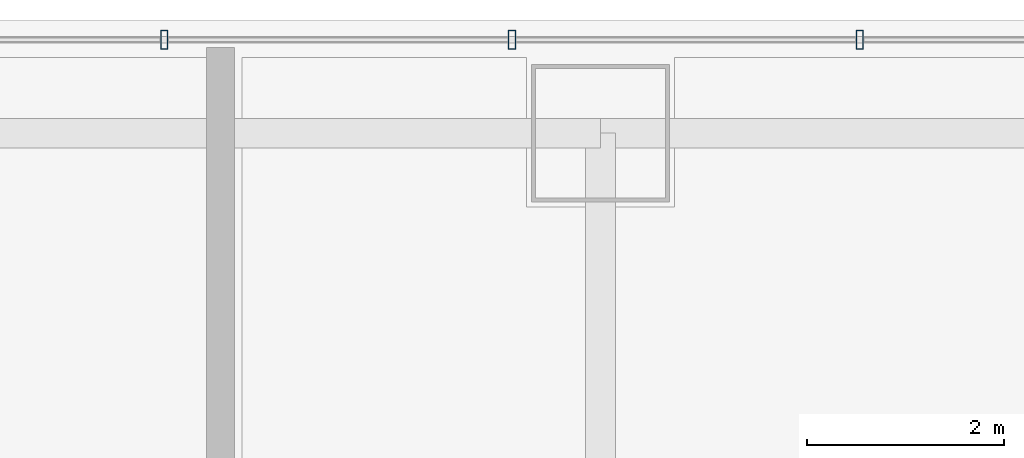
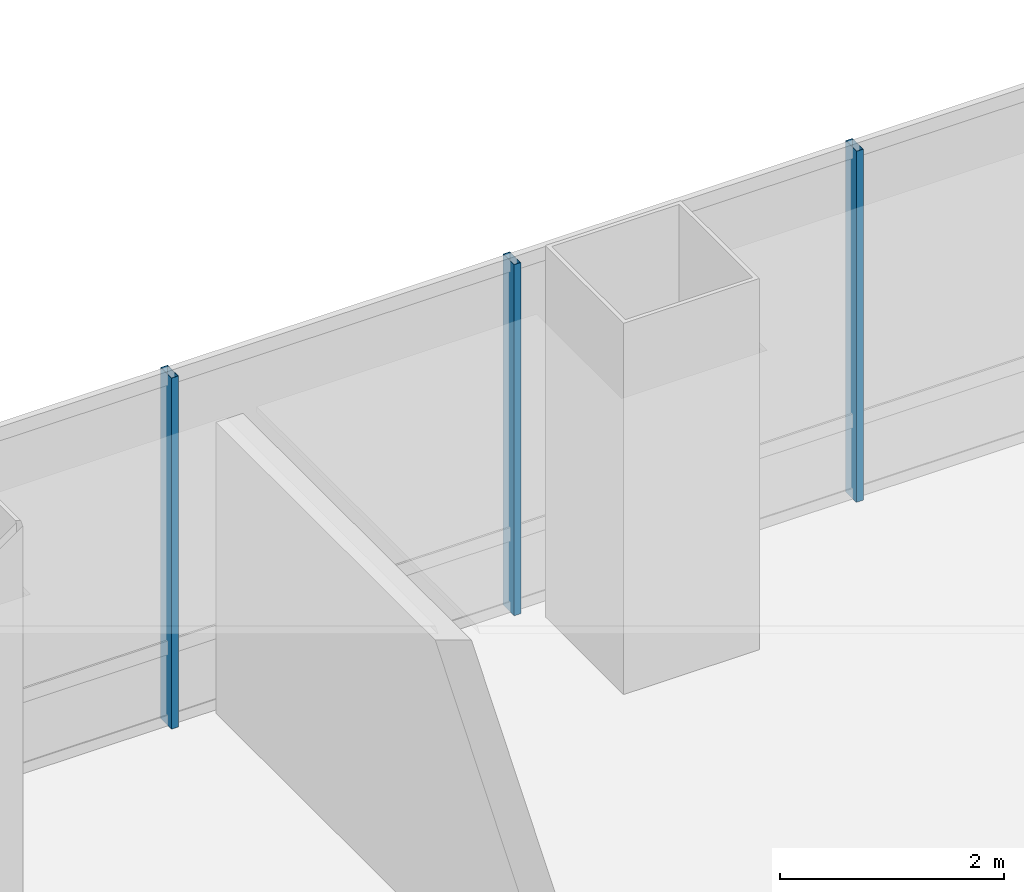
# One storey, part 24 of 36: 3 members, 1 element without a shape of its own.
"""IFC4 building model written with IfcOpenShell, lengths in metres."""

from ifc_helpers import new_model, si_unit, direction, frame, origin, origin_2d, place, context, subcontext, project, spatial, hollow_rectangle, extrude, material, material_profile, profile_set, type_object, element, aggregate, save


model = new_model("IFC4")

# Units and contexts
model_context = context("Model", 3, precision=1e-05, world=origin(), true_north=direction((0.0, 1.0)))
body_context = subcontext(model_context, "Body", "Model", "MODEL_VIEW")
ifc_project = project(units=[si_unit("LENGTHUNIT", "METRE"), si_unit("AREAUNIT", "SQUARE_METRE"), si_unit("VOLUMEUNIT", "CUBIC_METRE"), si_unit("PLANEANGLEUNIT", "RADIAN"), si_unit("MASSUNIT", "GRAM", prefix="KILO")], contexts=[model_context])

# Site, building, storey
site_placement = place(None, origin())
site = spatial("IfcSite", under=ifc_project, at=site_placement, CompositionType="ELEMENT")
building_placement = place(site_placement, origin())
building = spatial("IfcBuilding", under=site, at=building_placement, Name="Punatoya Terracotta Tower", CompositionType="ELEMENT")
storey_placement = place(building_placement, frame((0.0, 0.0, 176.25)))
storey = spatial("IfcBuildingStorey", under=building, at=storey_placement, Name="L41", CompositionType="ELEMENT", Elevation=176.25)

# Curtain wall, members
ifc_material_1 = material(Name="Aluminium 6063-T6 + Double Low-E Glass", Category="aluminium")
curtain_wall_type = type_object("IfcCurtainWallType", Name="CW-M2", PredefinedType="NOTDEFINED", material=ifc_material_1)
curtain_wall_placement = place(storey_placement, origin())
curtain_wall = element("IfcCurtainWall", 1, at=curtain_wall_placement, inside=storey, type_object=curtain_wall_type, Name="L41 Curtain Wall CW-L41-N09-1", PredefinedType="NOTDEFINED")
ifc_material_2 = material(Name="Aluminium 6063-T6", Category="aluminium")
ifc_material_profile = material_profile(ifc_material_2, hollow_rectangle(XDim=0.072021484375, YDim=0.195068359375, WallThickness=0.00439453125, at=origin_2d()))
ifc_profile_set = profile_set([ifc_material_profile], Name="Aluminium 6063-T6")
member_type = type_object("IfcMemberType", Name="CW-MUL-M2", PredefinedType="MULLION", material=ifc_profile_set)
member_1_placement = place(storey_placement, frame((6.43505859375, 18.449951171875, 0.0), z_axis=(0.0, 0.0, 1.0), x_axis=(1.0, 0.0, 0.0)))
member_1 = element("IfcMember", 2, at=member_1_placement, type_object=member_type, Name="CW-L41-N09-1 Mullion 03", PredefinedType="MULLION", context=body_context, shape_type="SweptSolid", body=[
    extrude(hollow_rectangle(XDim=0.072021484375, YDim=0.195068359375, WallThickness=0.00439453125, at=origin_2d()), origin(), (0.0, 0.0, 1.0), 3.830078125),
])
member_2_placement = place(storey_placement, frame((2.90087890625, 18.449951171875, 0.0), z_axis=(0.0, 0.0, 1.0), x_axis=(1.0, 0.0, 0.0)))
member_2 = element("IfcMember", 3, at=member_2_placement, type_object=member_type, Name="CW-L41-N09-1 Mullion 04", PredefinedType="MULLION", context=body_context, shape_type="SweptSolid", body=[
    extrude(hollow_rectangle(XDim=0.072021484375, YDim=0.195068359375, WallThickness=0.00439453125, at=origin_2d()), origin(), (0.0, 0.0, 1.0), 3.830078125),
])
member_3_placement = place(storey_placement, frame((-0.633056640625, 18.449951171875, 0.0), z_axis=(0.0, 0.0, 1.0), x_axis=(1.0, 0.0, 0.0)))
member_3 = element("IfcMember", 4, at=member_3_placement, type_object=member_type, Name="CW-L41-N09-1 Mullion 05", PredefinedType="MULLION", context=body_context, shape_type="SweptSolid", body=[
    extrude(hollow_rectangle(XDim=0.072021484375, YDim=0.195068359375, WallThickness=0.00439453125, at=origin_2d()), origin(), (0.0, 0.0, 1.0), 3.830078125),
])
aggregate(curtain_wall, [member_1, member_2, member_3])

save(model, "model.ifc")
